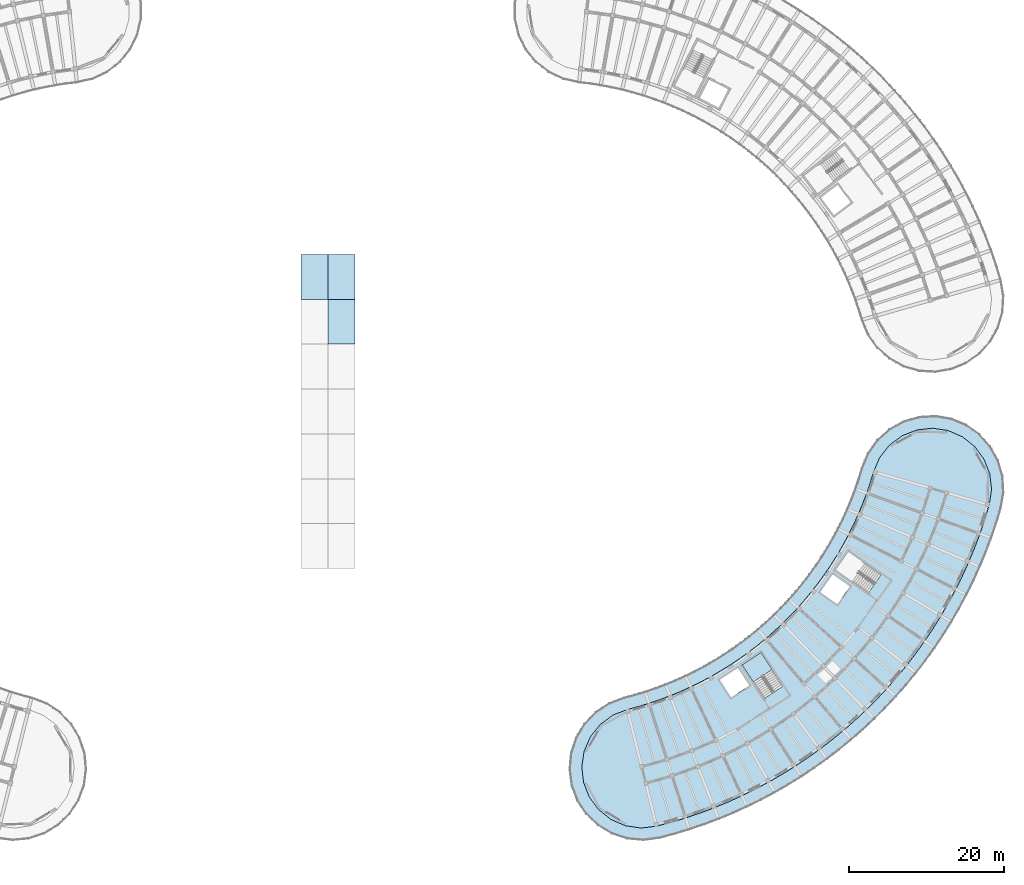
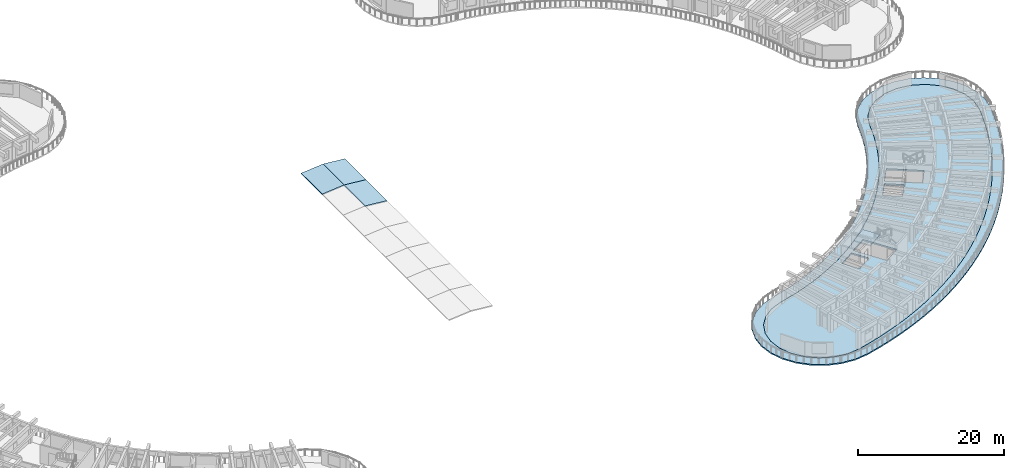
# One storey, part 23 of 69: 6 slabs, 1 element without a shape of its own.
"""IFC4 building model written with IfcOpenShell, lengths in metres."""

from ifc_helpers import new_model, si_unit, direction, frame, origin, place, context, subcontext, project, spatial, polyline, outline, extrude, material, layer, layer_set, type_object, element, aggregate, save


model = new_model("IFC4")

# Units and contexts
model_context = context("Model", 3, precision=1e-05, world=origin(), true_north=direction((0.0, 1.0)))
body_context = subcontext(model_context, "Body", "Model", "MODEL_VIEW")
ifc_project = project(units=[si_unit("LENGTHUNIT", "METRE"), si_unit("AREAUNIT", "SQUARE_METRE"), si_unit("VOLUMEUNIT", "CUBIC_METRE"), si_unit("PLANEANGLEUNIT", "RADIAN"), si_unit("MASSUNIT", "GRAM", prefix="KILO")], contexts=[model_context])

# Site, building, storey
site_placement = place(None, origin())
site = spatial("IfcSite", under=ifc_project, at=site_placement, CompositionType="ELEMENT")
building_placement = place(site_placement, origin())
building = spatial("IfcBuilding", under=site, at=building_placement, Name="Tanwirah Colonnade Gardens", CompositionType="ELEMENT")
storey_placement = place(building_placement, frame((0.0, 0.0, 15.56005859375)))
storey = spatial("IfcBuildingStorey", under=building, at=storey_placement, Name="L04", CompositionType="ELEMENT", Elevation=15.56005859375)

# Slabs
ifc_material_1 = material(Name="Precast concrete C45/55", Category="concrete")
ifc_layer_1 = layer(ifc_material_1, 0.179931640625)
ifc_layer_set_1 = layer_set([ifc_layer_1], Name="Precast concrete C45/55")
slab_type_1 = type_object("IfcSlabType", Name="RF-VAULT-180", PredefinedType="ROOF", material=ifc_layer_set_1)
slab_1_placement = place(storey_placement, frame((93.0, 68.800048828125, 1.06005859375), z_axis=(0.093674946513, 0.0, 0.995602834666), x_axis=(0.995602834666, 0.0, -0.093674946513)))
element("IfcSlab", 1, at=slab_1_placement, inside=storey, type_object=slab_type_1, Name="Community Hall Barrel Vault Roof Strip 6.6", PredefinedType="ROOF", context=body_context, shape_type="SweptSolid", body=[
    extrude(outline(polyline([(0.0, 0.0), (3.484560469750375, 0.0), (3.484560469750375, 5.800048828125), (0.0, 5.800048828125), (0.0, 0.0)])), origin(), (0.0, 0.0, -1.0), 0.179931640625),
])
for number, where, z_axis, x_axis, name in (
    (2, (89.53076171875, 74.60009765625, 0.733642578125), (-0.093674946513, 0.0, 0.995602834666), (0.995602834666, 0.0, 0.093674946513), "Community Hall Barrel Vault Roof Strip 7.5"),
    (3, (93.0, 74.60009765625, 1.06005859375), (0.093674946513, 0.0, 0.995602834666), (0.995602834666, 0.0, -0.093674946513), "Community Hall Barrel Vault Roof Strip 7.6"),
):
    element("IfcSlab", number, at=place(storey_placement, frame(where, z_axis=z_axis, x_axis=x_axis)), inside=storey, type_object=slab_type_1, Name=name, PredefinedType="ROOF", context=body_context, shape_type="SweptSolid", body=[
        extrude(outline(polyline([(0.0, 0.0), (3.484560469750375, 0.0), (3.484560469750375, 5.799804687500001), (0.0, 5.799804687500001), (0.0, 0.0)])), origin(), (0.0, 0.0, -1.0), 0.179931640625),
    ])
ifc_material_2 = material(Name="White architectural precast concrete C40/50", Category="concrete")
ifc_layer_2 = layer(ifc_material_2, 0.199951171875)
ifc_layer_set_2 = layer_set([ifc_layer_2], Name="White architectural precast concrete C40/50")
slab_type_2 = type_object("IfcSlabType", Name="SL-BAL-200", PredefinedType="FLOOR", material=ifc_layer_set_2)
slab_2_placement = place(storey_placement, frame((0.0, 0.0, -0.199951171875)))
element("IfcSlab", 4, at=slab_2_placement, inside=storey, type_object=slab_type_2, Name="Block D L04 Continuous White Balcony Ribbon", PredefinedType="FLOOR", context=body_context, shape_type="SweptSolid", body=[
    extrude(outline(polyline([(129.333251953125, 22.4306640625), (127.57373046875, 21.275390625), (126.115234375, 19.757568359375), (125.03125, 17.953369140625), (124.375732421875, 15.953125), (124.181884765625, 13.857177734375), (124.459228515625, 11.7705078125), (125.19384765625, 9.798095703125), (126.34912109375, 8.038330078125), (127.866943359375, 6.580078125), (129.671142578125, 5.495849609375), (131.67138671875, 4.84033203125), (133.767333984375, 4.646484375), (135.85400390625, 4.923828125), (137.79541015625, 5.441650390625), (139.71875, 6.02294921875), (141.6220703125, 6.666748046875), (143.503173828125, 7.372314453125), (145.3603515625, 8.13916015625), (147.19140625, 8.966552734375), (148.994384765625, 9.85302734375), (150.767333984375, 10.79833984375), (152.508544921875, 11.801025390625), (154.2158203125, 12.860107421875), (155.8876953125, 13.974609375), (157.522216796875, 15.143310546875), (159.117431640625, 16.364501953125), (160.672119140625, 17.637451171875), (162.18408203125, 18.960693359375), (163.652099609375, 20.33251953125), (165.07421875, 21.751708984375), (166.449462890625, 23.216796875), (167.77587890625, 24.725830078125), (169.05224609375, 26.277587890625), (170.277099609375, 27.870361328125), (171.44921875, 29.502197265625), (172.567138671875, 31.171630859375), (173.630126953125, 32.876708984375), (174.636474609375, 34.61572265625), (175.585693359375, 36.386474609375), (176.476318359375, 38.1875), (177.307373046875, 40.016845703125), (178.078369140625, 41.872314453125), (178.7880859375, 43.751953125), (179.43603515625, 45.65380859375), (180.021484375, 47.575927734375), (180.37158203125, 49.651611328125), (180.250732421875, 51.7529296875), (179.66552734375, 53.77490234375), (178.64501953125, 55.615966796875), (177.240478515625, 57.18359375), (175.522216796875, 58.399658203125), (173.57666015625, 59.20263671875), (171.5009765625, 59.552734375), (169.3994140625, 59.43212890625), (167.37744140625, 58.846923828125), (165.53662109375, 57.826416015625), (163.96875, 56.421875), (162.7529296875, 54.70361328125), (161.94970703125, 52.7578125), (161.543701171875, 51.42431640625), (161.093994140625, 50.104736328125), (160.6015625, 48.800537109375), (160.066650390625, 47.51318359375), (159.489990234375, 46.244140625), (158.8720703125, 44.99462890625), (158.213623046875, 43.765869140625), (157.515380859375, 42.559326171875), (156.77783203125, 41.37646484375), (156.002197265625, 40.218017578125), (155.18896484375, 39.0859375), (154.339111328125, 37.98095703125), (153.45361328125, 36.904296875), (152.533203125, 35.857177734375), (151.579345703125, 34.8408203125), (150.592529296875, 33.856201171875), (149.573974609375, 32.904296875), (148.52490234375, 31.986328125), (147.4462890625, 31.10302734375), (146.33935546875, 30.255615234375), (145.205322265625, 29.445068359375), (144.04541015625, 28.671630859375), (142.86083984375, 27.93701171875), (141.65283203125, 27.2412109375), (140.4228515625, 26.58544921875), (139.171875, 25.97021484375), (137.9013671875, 25.396240234375), (136.613037109375, 24.8642578125), (135.307861328125, 24.37451171875), (133.9873046875, 23.927978515625), (132.65283203125, 23.524658203125), (131.305908203125, 23.165283203125), (129.333251953125, 22.4306640625)]), holes=[polyline([(129.80810546875, 20.84912109375), (131.69921875, 21.593994140625), (133.095703125, 21.966552734375), (133.09619140625, 21.966552734375), (134.480712890625, 22.385009765625), (134.4814453125, 22.38525390625), (135.8515625, 22.8486328125), (135.85205078125, 22.848876953125), (137.206298828125, 23.35693359375), (137.20703125, 23.357177734375), (138.5439453125, 23.9091796875), (138.54443359375, 23.909423828125), (139.862548828125, 24.5048828125), (139.86328125, 24.505126953125), (141.1611328125, 25.1435546875), (141.16162109375, 25.143798828125), (142.43798828125, 25.82421875), (142.4384765625, 25.824462890625), (143.69189453125, 26.54638671875), (143.692626953125, 26.546630859375), (144.921630859375, 27.30908203125), (144.922119140625, 27.309326171875), (146.125732421875, 28.111572265625), (146.126220703125, 28.112060546875), (147.302734375, 28.953369140625), (147.30322265625, 28.95361328125), (148.45166015625, 29.8330078125), (148.452392578125, 29.833251953125), (149.5712890625, 30.749755859375), (149.57177734375, 30.75), (150.660400390625, 31.70263671875), (150.660888671875, 31.702880859375), (151.717529296875, 32.690673828125), (151.718017578125, 32.69091796875), (152.741943359375, 33.712646484375), (152.742431640625, 33.713134765625), (153.732177734375, 34.767578125), (153.732666015625, 34.76806640625), (154.6875, 35.8544921875), (154.68798828125, 35.85498046875), (155.606689453125, 36.97216796875), (155.607177734375, 36.97265625), (156.48876953125, 38.119140625), (156.4892578125, 38.11962890625), (157.3330078125, 39.29443359375), (157.33349609375, 39.294921875), (158.13818359375, 40.496826171875), (158.138671875, 40.497314453125), (158.90380859375, 41.724853515625), (158.904052734375, 41.725341796875), (159.628662109375, 42.97705078125), (159.62890625, 42.977783203125), (160.312255859375, 44.25244140625), (160.3125, 44.253173828125), (160.95361328125, 45.549560546875), (160.953857421875, 45.55029296875), (161.55224609375, 46.866943359375), (161.552490234375, 46.86767578125), (162.107421875, 48.203369140625), (162.107666015625, 48.203857421875), (162.61865234375, 49.55712890625), (162.618896484375, 49.5576171875), (163.08544921875, 50.9267578125), (163.08544921875, 50.92724609375), (163.506591796875, 52.309814453125), (164.31689453125, 54.173828125), (165.581298828125, 55.76318359375), (167.2138671875, 56.97119140625), (169.103515625, 57.715576171875), (171.121337890625, 57.945556640625), (173.130126953125, 57.645263671875), (174.992431640625, 56.83544921875), (176.58203125, 55.5712890625), (177.7900390625, 53.9384765625), (178.534423828125, 52.049072265625), (178.76416015625, 50.031005859375), (178.4638671875, 48.021240234375), (177.894287109375, 46.151123046875), (177.263427734375, 44.29931640625), (176.572509765625, 42.46923828125), (175.82177734375, 40.662841796875), (175.012451171875, 38.8818359375), (174.1455078125, 37.12841796875), (173.221435546875, 35.404052734375), (172.241455078125, 33.7109375), (171.20654296875, 32.051025390625), (170.1181640625, 30.425537109375), (168.976806640625, 28.836669921875), (167.784423828125, 27.2861328125), (166.541748046875, 25.775146484375), (165.250244140625, 24.305908203125), (163.911376953125, 22.879638671875), (162.526611328125, 21.497802734375), (161.097412109375, 20.162109375), (159.625244140625, 18.8740234375), (158.11181640625, 17.634521484375), (156.55859375, 16.445556640625), (154.96728515625, 15.3076171875), (153.33935546875, 14.22265625), (151.677001953125, 13.19140625), (149.98193359375, 12.21533203125), (148.255615234375, 11.294921875), (146.500244140625, 10.431640625), (144.717529296875, 9.626220703125), (142.909423828125, 8.879638671875), (141.077880859375, 8.192626953125), (139.224853515625, 7.565673828125), (137.352294921875, 7.0), (135.463134765625, 6.49609375), (133.444091796875, 6.265869140625), (131.435546875, 6.566162109375), (129.572998046875, 7.3759765625), (127.983642578125, 8.640380859375), (126.775634765625, 10.27294921875), (126.03125, 12.16259765625), (125.80126953125, 14.180419921875), (126.1015625, 16.18896484375), (126.911376953125, 18.051513671875), (128.175537109375, 19.640869140625), (129.80810546875, 20.84912109375)])]), origin(), (0.0, 0.0, 1.0), 0.199951171875),
])

# Stair, slab
ifc_material_3 = material(Name="Precast concrete C40/50", Category="concrete")
stair_type = type_object("IfcStairType", Name="ST-RES168", PredefinedType="HALF_TURN_STAIR", material=ifc_material_3)
stair_placement = place(storey_placement, origin())
stair = element("IfcStair", 5, at=stair_placement, inside=storey, type_object=stair_type, Name="L04 Block D Core 1 Exit Stair", PredefinedType="HALF_TURN_STAIR")
ifc_layer_3 = layer(ifc_material_3, 0.205078125)
ifc_layer_set_3 = layer_set([ifc_layer_3], Name="Precast concrete C40/50")
slab_type_3 = type_object("IfcSlabType", Name="SL-LND-205", PredefinedType="LANDING", material=ifc_layer_set_3)
slab_3_placement = place(storey_placement, frame((0.0, 0.0, 1.474853515625)))
slab_3 = element("IfcSlab", 6, at=slab_3_placement, type_object=slab_type_3, Name="ST-D1 landing 1", PredefinedType="LANDING", context=body_context, shape_type="SweptSolid", body=[
    extrude(outline(polyline([(150.40966796875, 26.740966796875), (148.974609375, 28.950927734375), (146.525634765625, 27.360595703125), (147.960693359375, 25.150634765625), (150.40966796875, 26.740966796875)])), origin(), (0.0, 0.0, 1.0), 0.205078125),
])
aggregate(stair, [slab_3])

# Slab
ifc_layer_4 = layer(ifc_material_3, 0.2548828125)
ifc_layer_set_4 = layer_set([ifc_layer_4], Name="Precast concrete C40/50")
slab_type_4 = type_object("IfcSlabType", Name="SL-RES-255", PredefinedType="FLOOR", material=ifc_layer_set_4)
slab_4_placement = place(storey_placement, frame((0.0, 0.0, -0.255126953125)))
element("IfcSlab", 7, at=slab_4_placement, inside=storey, type_object=slab_type_4, Name="Block D L04 Precast Composite Floor Slab", PredefinedType="FLOOR", context=body_context, shape_type="SweptSolid", body=[
    extrude(outline(polyline([(134.47509765625, 22.404052734375), (133.09033203125, 21.98583984375), (131.69287109375, 21.613037109375), (129.79833984375, 20.86669921875), (128.16162109375, 19.655517578125), (126.89404296875, 18.06201171875), (126.08203125, 16.194580078125), (125.781005859375, 14.1806640625), (126.01171875, 12.15771484375), (126.7578125, 10.26318359375), (127.968994140625, 8.626220703125), (129.562744140625, 7.358642578125), (131.429931640625, 6.546875), (133.44384765625, 6.245849609375), (135.467041015625, 6.476318359375), (137.357666015625, 6.980712890625), (139.23095703125, 7.546630859375), (141.08447265625, 8.173828125), (142.916748046875, 8.861083984375), (144.7255859375, 9.60791015625), (146.5087890625, 10.41357421875), (148.264892578125, 11.277099609375), (149.99169921875, 12.19775390625), (151.687255859375, 13.17431640625), (153.350341796875, 14.205810546875), (154.978515625, 15.291259765625), (156.5703125, 16.429443359375), (158.124267578125, 17.618896484375), (159.63818359375, 18.858642578125), (161.11083984375, 20.1474609375), (162.54052734375, 21.4833984375), (163.92578125, 22.86572265625), (165.26513671875, 24.29248046875), (166.556884765625, 25.76220703125), (167.800048828125, 27.273681640625), (168.992919921875, 28.82470703125), (170.134521484375, 30.414306640625), (171.223388671875, 32.0400390625), (172.258544921875, 33.70068359375), (173.23876953125, 35.394287109375), (174.163330078125, 37.119140625), (175.030517578125, 38.873291015625), (175.840087890625, 40.65478515625), (176.591064453125, 42.4619140625), (177.2822265625, 44.29248046875), (177.913330078125, 46.14501953125), (178.4833984375, 48.016845703125), (178.784423828125, 50.03076171875), (178.553955078125, 52.053955078125), (177.8076171875, 53.948486328125), (176.596435546875, 55.585205078125), (175.0029296875, 56.852783203125), (173.135498046875, 57.664794921875), (171.121826171875, 57.965576171875), (169.0986328125, 57.735107421875), (167.2041015625, 56.98876953125), (165.5673828125, 55.777587890625), (164.2998046875, 54.18408203125), (163.48779296875, 52.31689453125), (163.06640625, 50.93310546875), (162.60009765625, 49.56396484375), (162.089111328125, 48.2109375), (161.533935546875, 46.875244140625), (160.935791015625, 45.55859375), (160.294677734375, 44.261962890625), (159.611328125, 42.987060546875), (158.88671875, 41.7353515625), (158.12158203125, 40.5078125), (157.31689453125, 39.30615234375), (156.47314453125, 38.13134765625), (155.59130859375, 36.98486328125), (154.672607421875, 35.86767578125), (153.717529296875, 34.781494140625), (152.727783203125, 33.726806640625), (151.703857421875, 32.705078125), (150.647216796875, 31.717529296875), (149.55859375, 30.76513671875), (148.439697265625, 29.848876953125), (147.291259765625, 28.969482421875), (146.114501953125, 28.12841796875), (144.9111328125, 27.326171875), (143.681884765625, 26.563720703125), (142.428466796875, 25.841796875), (141.15234375, 25.161376953125), (139.854248046875, 24.523193359375), (138.5361328125, 23.927490234375), (137.199462890625, 23.37548828125), (135.84521484375, 22.867431640625), (134.47509765625, 22.404052734375)]), holes=[polyline([(149.358642578125, 23.003662109375), (146.528076171875, 27.3623046875), (148.971923828125, 28.94921875), (151.802490234375, 24.5908203125), (149.358642578125, 23.003662109375)]), polyline([(143.63427734375, 25.42333984375), (145.982666015625, 26.9482421875), (147.453125, 24.683837890625), (145.104736328125, 23.158935546875), (143.63427734375, 25.42333984375)]), polyline([(160.252685546875, 42.016357421875), (164.509765625, 39.03564453125), (162.83837890625, 36.648681640625), (158.581298828125, 39.62939453125), (160.252685546875, 42.016357421875)]), polyline([(160.442138671875, 37.49267578125), (158.836181640625, 35.198974609375), (156.62451171875, 36.74755859375), (158.23046875, 39.041259765625), (160.442138671875, 37.49267578125)])]), origin(), (0.0, 0.0, 1.0), 0.255126953125),
])

save(model, "model.ifc")
